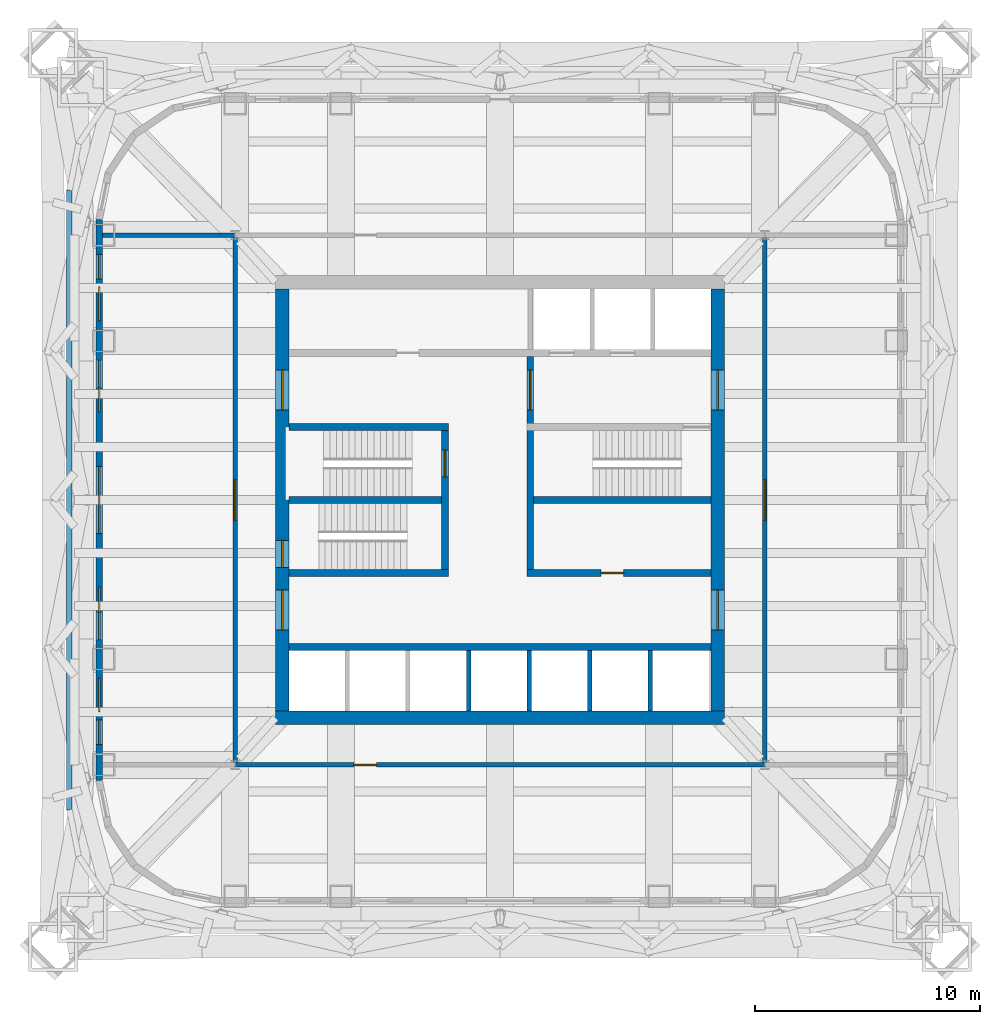
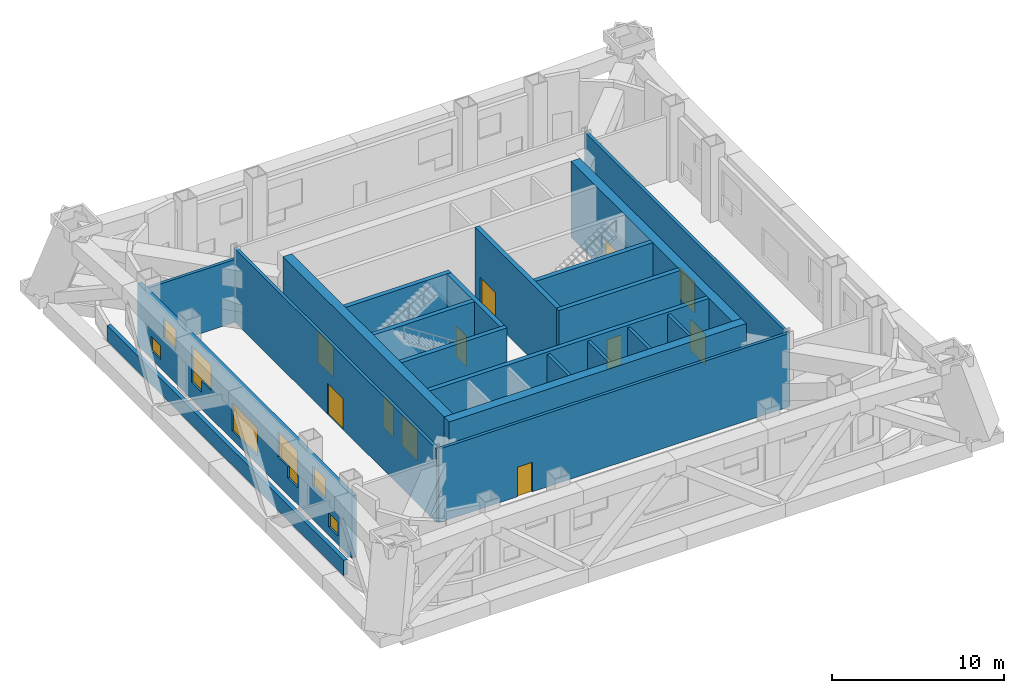
# One storey, part 5 of 9: 21 walls, 11 doors, 9 windows, 20 openings.
"""IFC4 building model written with IfcOpenShell, lengths in metres."""

from ifc_helpers import new_model, si_unit, direction, frame, frame_2d, origin, place, context, subcontext, project, spatial, rectangle, extrude, material, layer, layer_set, type_object, element, fill, save


model = new_model("IFC4")

# Units and contexts
model_context = context("Model", 3, precision=1e-05, world=origin(), true_north=direction((0.0, 1.0)))
body_context = subcontext(model_context, "Body", "Model", "MODEL_VIEW")
ifc_project = project(units=[si_unit("LENGTHUNIT", "METRE"), si_unit("AREAUNIT", "SQUARE_METRE"), si_unit("VOLUMEUNIT", "CUBIC_METRE"), si_unit("PLANEANGLEUNIT", "RADIAN"), si_unit("MASSUNIT", "GRAM", prefix="KILO")], contexts=[model_context])

# Site, building, storey
site_placement = place(None, origin())
site = spatial("IfcSite", under=ifc_project, at=site_placement, CompositionType="ELEMENT")
building_placement = place(site_placement, origin())
building = spatial("IfcBuilding", under=site, at=building_placement, Name="Turquesa Mirador Hotel Tower", CompositionType="ELEMENT")
storey_placement = place(building_placement, frame((0.0, 0.0, 221.300048828125)))
storey = spatial("IfcBuildingStorey", under=building, at=storey_placement, Name="L60", CompositionType="ELEMENT", Elevation=221.300048828125)

# Walls
ifc_material_1 = material(Name="Concrete C50/60", Category="concrete")
ifc_layer_1 = layer(ifc_material_1, 0.300048828125)
ifc_layer_set_1 = layer_set([ifc_layer_1], Name="CORE INNER WALL 300")
wall_type_1 = type_object("IfcWallType", Name="CORE INNER WALL 300", PredefinedType="SHEAR", material=ifc_layer_set_1)
wall_1_placement = place(storey_placement, frame((45.60009765625, 38.449951171875, 0.0), z_axis=(0.0, 0.0, 1.0), x_axis=(1.0, 0.0, 0.0)))
element("IfcWall", 1, at=wall_1_placement, inside=storey, type_object=wall_type_1, Name="Core wall SL", PredefinedType="SHEAR", context=body_context, shape_type="SweptSolid", body=[
    extrude(rectangle(XDim=18.7998046875, YDim=0.300048828125, at=frame_2d((9.39990234375, 0.0))), origin(), (0.0, 0.0, 1.0), 5.39990234375),
])
for number, where, z_axis, x_axis, name in (
    (2, (45.60009765625, 48.25, 0.0), (0.0, 0.0, 1.0), (1.0, 0.0, 0.0), "Core wall MN-W"),
    (3, (45.60009765625, 41.75, 0.0), (0.0, 0.0, 1.0), (1.0, 0.0, 0.0), "Core wall MS-W"),
):
    element("IfcWall", number, at=place(storey_placement, frame(where, z_axis=z_axis, x_axis=x_axis)), inside=storey, type_object=wall_type_1, Name=name, PredefinedType="SHEAR", context=body_context, shape_type="SweptSolid", body=[
        extrude(rectangle(XDim=7.099853515625, YDim=0.300048828125, at=frame_2d((3.5498046875, 0.0))), origin(), (0.0, 0.0, 1.0), 5.39990234375),
    ])

# Wall, opening, door
wall_2_placement = place(storey_placement, frame((56.199951171875, 41.75, 0.0), z_axis=(0.0, 0.0, 1.0), x_axis=(1.0, 0.0, 0.0)))
wall_2 = element("IfcWall", 4, at=wall_2_placement, inside=storey, type_object=wall_type_1, Name="Core wall MS-E", PredefinedType="SHEAR", context=body_context, shape_type="SweptSolid", body=[
    extrude(rectangle(XDim=8.199951171875, YDim=0.300048828125, at=frame_2d((4.10009765625, 0.0))), origin(), (0.0, 0.0, 1.0), 5.39990234375),
])
opening_1_placement = place(wall_2_placement, frame((3.300048828125, 0.0, 0.0)))
opening_1 = element("IfcOpeningElement", 5, at=opening_1_placement, cuts=wall_2, Name="Opening D05", PredefinedType="OPENING", context=body_context, shape_type="SweptSolid", body=[
    extrude(rectangle(XDim=1.0, YDim=2.10009765625, at=frame_2d((0.5, 1.050048828125))), frame((0.0, 0.159912109375, 0.0), z_axis=(0.0, -1.0, 0.0), x_axis=(1.0, 0.0, 0.0)), (0.0, 0.0, 1.0), 0.320068359375),
])
ifc_material_2 = material(Name="Steel fire door", Category="steel")
door_type_1 = type_object("IfcDoorType", Name="DOOR 1000X2100 SERVICE", OperationType="SINGLE_SWING_LEFT", PredefinedType="DOOR", material=ifc_material_2)
door_1_placement = place(opening_1_placement, origin())
door_1 = element("IfcDoor", 6, at=door_1_placement, inside=storey, type_object=door_type_1, Name="Housekeeping room door", OperationType="SINGLE_SWING_LEFT", OverallHeight=2.10009765625, OverallWidth=1.0, PredefinedType="DOOR", context=body_context, shape_type="SweptSolid", body=[
    extrude(rectangle(XDim=1.0, YDim=2.10009765625, at=frame_2d((0.5, 1.050048828125))), frame((0.0, 0.02490234375, 0.0), z_axis=(0.0, -1.0, 0.0), x_axis=(1.0, 0.0, 0.0)), (0.0, 0.0, 1.0), 0.050048828125),
])
fill(opening_1, door_1)

wall_3_placement = place(storey_placement, frame((52.550048828125, 41.89990234375, 0.0), z_axis=(0.0, 0.0, 1.0), x_axis=(0.0, 1.0, 0.0)))
wall_3 = element("IfcWall", 7, at=wall_3_placement, inside=storey, type_object=wall_type_1, Name="Core wall PW", PredefinedType="SHEAR", context=body_context, shape_type="SweptSolid", body=[
    extrude(rectangle(XDim=6.2001953125, YDim=0.300048828125, at=frame_2d((3.10009765625, 0.0))), origin(), (0.0, 0.0, 1.0), 5.39990234375),
])
opening_2_placement = place(wall_3_placement, frame((4.125, 0.0, 0.0)))
opening_2 = element("IfcOpeningElement", 8, at=opening_2_placement, cuts=wall_3, Name="Opening D03", PredefinedType="OPENING", context=body_context, shape_type="SweptSolid", body=[
    extrude(rectangle(XDim=1.199951171875, YDim=2.199951171875, at=frame_2d((0.60009765625, 1.10009765625))), frame((0.0, 0.159912109375, 0.0), z_axis=(0.0, -1.0, 0.0), x_axis=(1.0, 0.0, 0.0)), (0.0, 0.0, 1.0), 0.320068359375),
])
ifc_material_3 = material(Name="Steel fire door", Category="steel")
door_type_2 = type_object("IfcDoorType", Name="DOOR 1200X2200 STAIR", OperationType="SINGLE_SWING_LEFT", PredefinedType="DOOR", material=ifc_material_3)
door_2_placement = place(opening_2_placement, origin())
door_2 = element("IfcDoor", 9, at=door_2_placement, inside=storey, type_object=door_type_2, Name="Stair ST1 door", OperationType="SINGLE_SWING_LEFT", OverallHeight=2.199951171875, OverallWidth=1.199951171875, PredefinedType="DOOR", context=body_context, shape_type="SweptSolid", body=[
    extrude(rectangle(XDim=1.199951171875, YDim=2.199951171875, at=frame_2d((0.60009765625, 1.10009765625))), frame((0.0, 0.02490234375, 0.0), z_axis=(0.0, -1.0, 0.0), x_axis=(1.0, 0.0, 0.0)), (0.0, 0.0, 1.0), 0.050048828125),
])
fill(opening_2, door_2)

wall_4_placement = place(storey_placement, frame((56.35009765625, 41.89990234375, 0.0), z_axis=(0.0, 0.0, 1.0), x_axis=(0.0, 1.0, 0.0)))
wall_4 = element("IfcWall", 10, at=wall_4_placement, inside=storey, type_object=wall_type_1, Name="Core wall PE", PredefinedType="SHEAR", context=body_context, shape_type="SweptSolid", body=[
    extrude(rectangle(XDim=9.5, YDim=0.300048828125, at=frame_2d((4.75, 0.0))), origin(), (0.0, 0.0, 1.0), 5.39990234375),
])
opening_3_placement = place(wall_4_placement, frame((7.10009765625, 0.0, 0.0)))
opening_3 = element("IfcOpeningElement", 11, at=opening_3_placement, cuts=wall_4, Name="Opening D04", PredefinedType="OPENING", context=body_context, shape_type="SweptSolid", body=[
    extrude(rectangle(XDim=1.800048828125, YDim=2.199951171875, at=frame_2d((0.89990234375, 1.10009765625))), frame((0.0, 0.159912109375, 0.0), z_axis=(0.0, -1.0, 0.0), x_axis=(1.0, 0.0, 0.0)), (0.0, 0.0, 1.0), 0.320068359375),
])
ifc_material_4 = material(Name="Steel fire door pair", Category="steel")
door_type_3 = type_object("IfcDoorType", Name="DOOR 1800X2200 PAIR", OperationType="DOUBLE_DOOR_SINGLE_SWING", PredefinedType="DOOR", material=ifc_material_4)
door_3_placement = place(opening_3_placement, origin())
door_3 = element("IfcDoor", 12, at=door_3_placement, inside=storey, type_object=door_type_3, Name="Firefighting lobby inner door", OperationType="DOUBLE_DOOR_SINGLE_SWING", OverallHeight=2.199951171875, OverallWidth=1.800048828125, PredefinedType="DOOR", context=body_context, shape_type="SweptSolid", body=[
    extrude(rectangle(XDim=1.800048828125, YDim=2.199951171875, at=frame_2d((0.89990234375, 1.10009765625))), frame((0.0, 0.02490234375, 0.0), z_axis=(0.0, -1.0, 0.0), x_axis=(1.0, 0.0, 0.0)), (0.0, 0.0, 1.0), 0.050048828125),
])
fill(opening_3, door_3)

# Walls
wall_5_placement = place(storey_placement, frame((45.60009765625, 45.0, 0.0), z_axis=(0.0, 0.0, 1.0), x_axis=(1.0, 0.0, 0.0)))
element("IfcWall", 13, at=wall_5_placement, inside=storey, type_object=wall_type_1, Name="Core wall M0-W", PredefinedType="SHEAR", context=body_context, shape_type="SweptSolid", body=[
    extrude(rectangle(XDim=6.7998046875, YDim=0.300048828125, at=frame_2d((3.39990234375, 0.0))), origin(), (0.0, 0.0, 1.0), 5.39990234375),
])
wall_6_placement = place(storey_placement, frame((56.5, 45.0, 0.0), z_axis=(0.0, 0.0, 1.0), x_axis=(1.0, 0.0, 0.0)))
element("IfcWall", 14, at=wall_6_placement, inside=storey, type_object=wall_type_1, Name="Core wall M0-E", PredefinedType="SHEAR", context=body_context, shape_type="SweptSolid", body=[
    extrude(rectangle(XDim=7.89990234375, YDim=0.300048828125, at=frame_2d((3.949951171875, 0.0))), origin(), (0.0, 0.0, 1.0), 5.39990234375),
])
ifc_material_5 = material(Name="Concrete C50/60", Category="concrete")
ifc_layer_2 = layer(ifc_material_5, 0.60009765625)
ifc_layer_set_2 = layer_set([ifc_layer_2], Name="CORE WALL 600")
wall_type_2 = type_object("IfcWallType", Name="CORE WALL 600", PredefinedType="SHEAR", material=ifc_layer_set_2)
wall_7_placement = place(storey_placement, frame((45.0, 35.300048828125, 0.0), z_axis=(0.0, 0.0, 1.0), x_axis=(1.0, 0.0, 0.0)))
element("IfcWall", 15, at=wall_7_placement, inside=storey, type_object=wall_type_2, Name="Core wall S", PredefinedType="SHEAR", context=body_context, shape_type="SweptSolid", body=[
    extrude(rectangle(XDim=20.0, YDim=0.60009765625, at=frame_2d((10.0, 0.0))), origin(), (0.0, 0.0, 1.0), 5.39990234375),
])

# Wall, openings, doors
wall_8_placement = place(storey_placement, frame((64.699951171875, 35.60009765625, 0.0), z_axis=(0.0, 0.0, 1.0), x_axis=(0.0, 1.0, 0.0)))
wall_8 = element("IfcWall", 16, at=wall_8_placement, inside=storey, type_object=wall_type_2, Name="Core wall E", PredefinedType="SHEAR", context=body_context, shape_type="SweptSolid", body=[
    extrude(rectangle(XDim=18.7998046875, YDim=0.60009765625, at=frame_2d((9.39990234375, 0.0))), origin(), (0.0, 0.0, 1.0), 5.39990234375),
])
opening_4_placement = place(wall_8_placement, frame((13.39990234375, 0.0, 0.0)))
opening_4 = element("IfcOpeningElement", 17, at=opening_4_placement, cuts=wall_8, Name="Opening D04", PredefinedType="OPENING", context=body_context, shape_type="SweptSolid", body=[
    extrude(rectangle(XDim=1.800048828125, YDim=2.199951171875, at=frame_2d((0.89990234375, 1.10009765625))), frame((0.0, 0.31005859375, 0.0), z_axis=(0.0, -1.0, 0.0), x_axis=(1.0, 0.0, 0.0)), (0.0, 0.0, 1.0), 0.6201171875),
])
opening_5_placement = place(wall_8_placement, frame((3.60009765625, 0.0, 0.0)))
opening_5 = element("IfcOpeningElement", 18, at=opening_5_placement, cuts=wall_8, Name="Opening D04", PredefinedType="OPENING", context=body_context, shape_type="SweptSolid", body=[
    extrude(rectangle(XDim=1.800048828125, YDim=2.199951171875, at=frame_2d((0.89990234375, 1.10009765625))), frame((0.0, 0.31005859375, 0.0), z_axis=(0.0, -1.0, 0.0), x_axis=(1.0, 0.0, 0.0)), (0.0, 0.0, 1.0), 0.6201171875),
])
door_4_placement = place(opening_4_placement, origin())
door_4 = element("IfcDoor", 19, at=door_4_placement, inside=storey, type_object=door_type_3, Name="Firefighting lobby door", OperationType="DOUBLE_DOOR_SINGLE_SWING", OverallHeight=2.199951171875, OverallWidth=1.800048828125, PredefinedType="DOOR", context=body_context, shape_type="SweptSolid", body=[
    extrude(rectangle(XDim=1.800048828125, YDim=2.199951171875, at=frame_2d((0.89990234375, 1.10009765625))), frame((0.0, 0.02490234375, 0.0), z_axis=(0.0, -1.0, 0.0), x_axis=(1.0, 0.0, 0.0)), (0.0, 0.0, 1.0), 0.050048828125),
])
fill(opening_4, door_4)
door_5_placement = place(opening_5_placement, origin())
door_5 = element("IfcDoor", 20, at=door_5_placement, inside=storey, type_object=door_type_3, Name="South lift lobby door", OperationType="DOUBLE_DOOR_SINGLE_SWING", OverallHeight=2.199951171875, OverallWidth=1.800048828125, PredefinedType="DOOR", context=body_context, shape_type="SweptSolid", body=[
    extrude(rectangle(XDim=1.800048828125, YDim=2.199951171875, at=frame_2d((0.89990234375, 1.10009765625))), frame((0.0, 0.02490234375, 0.0), z_axis=(0.0, -1.0, 0.0), x_axis=(1.0, 0.0, 0.0)), (0.0, 0.0, 1.0), 0.050048828125),
])
fill(opening_5, door_5)

wall_9_placement = place(storey_placement, frame((45.300048828125, 35.60009765625, 0.0), z_axis=(0.0, 0.0, 1.0), x_axis=(0.0, 1.0, 0.0)))
wall_9 = element("IfcWall", 21, at=wall_9_placement, inside=storey, type_object=wall_type_2, Name="Core wall W", PredefinedType="SHEAR", context=body_context, shape_type="SweptSolid", body=[
    extrude(rectangle(XDim=18.7998046875, YDim=0.60009765625, at=frame_2d((9.39990234375, 0.0))), origin(), (0.0, 0.0, 1.0), 5.39990234375),
])
opening_6_placement = place(wall_9_placement, frame((13.39990234375, 0.0, 0.0)))
opening_6 = element("IfcOpeningElement", 22, at=opening_6_placement, cuts=wall_9, Name="Opening D04", PredefinedType="OPENING", context=body_context, shape_type="SweptSolid", body=[
    extrude(rectangle(XDim=1.800048828125, YDim=2.199951171875, at=frame_2d((0.89990234375, 1.10009765625))), frame((0.0, 0.31005859375, 0.0), z_axis=(0.0, -1.0, 0.0), x_axis=(1.0, 0.0, 0.0)), (0.0, 0.0, 1.0), 0.6201171875),
])
opening_7_placement = place(wall_9_placement, frame((3.60009765625, 0.0, 0.0)))
opening_7 = element("IfcOpeningElement", 23, at=opening_7_placement, cuts=wall_9, Name="Opening D04", PredefinedType="OPENING", context=body_context, shape_type="SweptSolid", body=[
    extrude(rectangle(XDim=1.800048828125, YDim=2.199951171875, at=frame_2d((0.89990234375, 1.10009765625))), frame((0.0, 0.31005859375, 0.0), z_axis=(0.0, -1.0, 0.0), x_axis=(1.0, 0.0, 0.0)), (0.0, 0.0, 1.0), 0.6201171875),
])
opening_8_placement = place(wall_9_placement, frame((6.39990234375, 0.0, 0.0)))
opening_8 = element("IfcOpeningElement", 24, at=opening_8_placement, cuts=wall_9, Name="Opening D03", PredefinedType="OPENING", context=body_context, shape_type="SweptSolid", body=[
    extrude(rectangle(XDim=1.199951171875, YDim=2.199951171875, at=frame_2d((0.60009765625, 1.10009765625))), frame((0.0, 0.31005859375, 0.0), z_axis=(0.0, -1.0, 0.0), x_axis=(1.0, 0.0, 0.0)), (0.0, 0.0, 1.0), 0.6201171875),
])
door_6_placement = place(opening_8_placement, origin())
door_6 = element("IfcDoor", 25, at=door_6_placement, inside=storey, type_object=door_type_2, Name="Stair ST2 door", OperationType="SINGLE_SWING_LEFT", OverallHeight=2.199951171875, OverallWidth=1.199951171875, PredefinedType="DOOR", context=body_context, shape_type="SweptSolid", body=[
    extrude(rectangle(XDim=1.199951171875, YDim=2.199951171875, at=frame_2d((0.60009765625, 1.10009765625))), frame((0.0, 0.02490234375, 0.0), z_axis=(0.0, -1.0, 0.0), x_axis=(1.0, 0.0, 0.0)), (0.0, 0.0, 1.0), 0.050048828125),
])
fill(opening_8, door_6)
door_7_placement = place(opening_6_placement, origin())
door_7 = element("IfcDoor", 26, at=door_7_placement, inside=storey, type_object=door_type_3, Name="North lift lobby door", OperationType="DOUBLE_DOOR_SINGLE_SWING", OverallHeight=2.199951171875, OverallWidth=1.800048828125, PredefinedType="DOOR", context=body_context, shape_type="SweptSolid", body=[
    extrude(rectangle(XDim=1.800048828125, YDim=2.199951171875, at=frame_2d((0.89990234375, 1.10009765625))), frame((0.0, 0.02490234375, 0.0), z_axis=(0.0, -1.0, 0.0), x_axis=(1.0, 0.0, 0.0)), (0.0, 0.0, 1.0), 0.050048828125),
])
fill(opening_6, door_7)
door_8_placement = place(opening_7_placement, origin())
door_8 = element("IfcDoor", 27, at=door_8_placement, inside=storey, type_object=door_type_3, Name="South lift lobby door", OperationType="DOUBLE_DOOR_SINGLE_SWING", OverallHeight=2.199951171875, OverallWidth=1.800048828125, PredefinedType="DOOR", context=body_context, shape_type="SweptSolid", body=[
    extrude(rectangle(XDim=1.800048828125, YDim=2.199951171875, at=frame_2d((0.89990234375, 1.10009765625))), frame((0.0, 0.02490234375, 0.0), z_axis=(0.0, -1.0, 0.0), x_axis=(1.0, 0.0, 0.0)), (0.0, 0.0, 1.0), 0.050048828125),
])
fill(opening_7, door_8)

# Wall, opening, door
ifc_material_6 = material(Name="Fire-rated gypsum board on steel studs", Category="steel")
ifc_layer_3 = layer(ifc_material_6, 0.199951171875)
ifc_layer_set_3 = layer_set([ifc_layer_3], Name="CORRIDOR WALL 200")
wall_type_3 = type_object("IfcWallType", Name="CORRIDOR WALL 200", PredefinedType="PARTITIONING", material=ifc_layer_set_3)
wall_10_placement = place(storey_placement, frame((43.199951171875, 33.199951171875, 0.0), z_axis=(0.0, 0.0, 1.0), x_axis=(1.0, 0.0, 0.0)))
wall_10 = element("IfcWall", 28, at=wall_10_placement, inside=storey, type_object=wall_type_3, Name="Partition L60 001", PredefinedType="PARTITIONING", context=body_context, shape_type="SweptSolid", body=[
    extrude(rectangle(XDim=23.60009765625, YDim=0.199951171875, at=frame_2d((11.800048828125, 0.0))), origin(), (0.0, 0.0, 1.0), 5.22998046875),
])
opening_9_placement = place(wall_10_placement, frame((5.300048828125, 0.0, 0.0)))
opening_9 = element("IfcOpeningElement", 29, at=opening_9_placement, cuts=wall_10, Name="Opening D05", PredefinedType="OPENING", context=body_context, shape_type="SweptSolid", body=[
    extrude(rectangle(XDim=1.0, YDim=2.10009765625, at=frame_2d((0.5, 1.050048828125))), frame((0.0, 0.10986328125, 0.0), z_axis=(0.0, -1.0, 0.0), x_axis=(1.0, 0.0, 0.0)), (0.0, 0.0, 1.0), 0.219970703125),
])
door_9_placement = place(opening_9_placement, origin())
door_9 = element("IfcDoor", 30, at=door_9_placement, inside=storey, type_object=door_type_1, Name="Door L60-02", OperationType="SINGLE_SWING_LEFT", OverallHeight=2.10009765625, OverallWidth=1.0, PredefinedType="DOOR", context=body_context, shape_type="SweptSolid", body=[
    extrude(rectangle(XDim=1.0, YDim=2.10009765625, at=frame_2d((0.5, 1.050048828125))), frame((0.0, 0.02490234375, 0.0), z_axis=(0.0, -1.0, 0.0), x_axis=(1.0, 0.0, 0.0)), (0.0, 0.0, 1.0), 0.050048828125),
])
fill(opening_9, door_9)

wall_11_placement = place(storey_placement, frame((43.199951171875, 33.199951171875, 0.0), z_axis=(0.0, 0.0, 1.0), x_axis=(0.0, 1.0, 0.0)))
wall_11 = element("IfcWall", 31, at=wall_11_placement, inside=storey, type_object=wall_type_3, Name="Partition L60 007", PredefinedType="PARTITIONING", context=body_context, shape_type="SweptSolid", body=[
    extrude(rectangle(XDim=23.60009765625, YDim=0.199951171875, at=frame_2d((11.800048828125, 0.0))), origin(), (0.0, 0.0, 1.0), 5.22998046875),
])
opening_10_placement = place(wall_11_placement, frame((10.89990234375, 0.0, 0.0)))
opening_10 = element("IfcOpeningElement", 32, at=opening_10_placement, cuts=wall_11, Name="Opening D04", PredefinedType="OPENING", context=body_context, shape_type="SweptSolid", body=[
    extrude(rectangle(XDim=1.800048828125, YDim=2.199951171875, at=frame_2d((0.89990234375, 1.10009765625))), frame((0.0, 0.10986328125, 0.0), z_axis=(0.0, -1.0, 0.0), x_axis=(1.0, 0.0, 0.0)), (0.0, 0.0, 1.0), 0.219970703125),
])
door_10_placement = place(opening_10_placement, origin())
door_10 = element("IfcDoor", 33, at=door_10_placement, inside=storey, type_object=door_type_3, Name="Door L60-04", OperationType="DOUBLE_DOOR_SINGLE_SWING", OverallHeight=2.199951171875, OverallWidth=1.800048828125, PredefinedType="DOOR", context=body_context, shape_type="SweptSolid", body=[
    extrude(rectangle(XDim=1.800048828125, YDim=2.199951171875, at=frame_2d((0.89990234375, 1.10009765625))), frame((0.0, 0.02490234375, 0.0), z_axis=(0.0, -1.0, 0.0), x_axis=(1.0, 0.0, 0.0)), (0.0, 0.0, 1.0), 0.050048828125),
])
fill(opening_10, door_10)

wall_12_placement = place(storey_placement, frame((66.800048828125, 33.199951171875, 0.0), z_axis=(0.0, 0.0, 1.0), x_axis=(0.0, 1.0, 0.0)))
wall_12 = element("IfcWall", 34, at=wall_12_placement, inside=storey, type_object=wall_type_3, Name="Partition L60 008", PredefinedType="PARTITIONING", context=body_context, shape_type="SweptSolid", body=[
    extrude(rectangle(XDim=23.60009765625, YDim=0.199951171875, at=frame_2d((11.800048828125, 0.0))), origin(), (0.0, 0.0, 1.0), 5.22998046875),
])
opening_11_placement = place(wall_12_placement, frame((10.89990234375, 0.0, 0.0)))
opening_11 = element("IfcOpeningElement", 35, at=opening_11_placement, cuts=wall_12, Name="Opening D04", PredefinedType="OPENING", context=body_context, shape_type="SweptSolid", body=[
    extrude(rectangle(XDim=1.800048828125, YDim=2.199951171875, at=frame_2d((0.89990234375, 1.10009765625))), frame((0.0, 0.10986328125, 0.0), z_axis=(0.0, -1.0, 0.0), x_axis=(1.0, 0.0, 0.0)), (0.0, 0.0, 1.0), 0.219970703125),
])
door_11_placement = place(opening_11_placement, origin())
door_11 = element("IfcDoor", 36, at=door_11_placement, inside=storey, type_object=door_type_3, Name="Door L60-03", OperationType="DOUBLE_DOOR_SINGLE_SWING", OverallHeight=2.199951171875, OverallWidth=1.800048828125, PredefinedType="DOOR", context=body_context, shape_type="SweptSolid", body=[
    extrude(rectangle(XDim=1.800048828125, YDim=2.199951171875, at=frame_2d((0.89990234375, 1.10009765625))), frame((0.0, 0.02490234375, 0.0), z_axis=(0.0, -1.0, 0.0), x_axis=(1.0, 0.0, 0.0)), (0.0, 0.0, 1.0), 0.050048828125),
])
fill(opening_11, door_11)

# Walls
ifc_material_7 = material(Name="Fire-rated gypsum board on steel studs", Category="steel")
ifc_layer_4 = layer(ifc_material_7, 0.199951171875)
ifc_layer_set_4 = layer_set([ifc_layer_4], Name="FIRE PARTITION 200")
wall_type_4 = type_object("IfcWallType", Name="FIRE PARTITION 200", PredefinedType="PARTITIONING", material=ifc_layer_set_4)
wall_13_placement = place(storey_placement, frame((37.300048828125, 56.800048828125, 0.0), z_axis=(0.0, 0.0, 1.0), x_axis=(1.0, 0.0, 0.0)))
element("IfcWall", 37, at=wall_13_placement, inside=storey, type_object=wall_type_4, Name="Partition L60 005", PredefinedType="PARTITIONING", context=body_context, shape_type="SweptSolid", body=[
    extrude(rectangle(XDim=5.89990234375, YDim=0.199951171875, at=frame_2d((2.949951171875, 0.0))), origin(), (0.0, 0.0, 1.0), 4.47314453125),
])
ifc_material_8 = material(Name="Fire-rated gypsum shaft wall on steel studs", Category="steel")
ifc_layer_5 = layer(ifc_material_8, 0.199951171875)
ifc_layer_set_5 = layer_set([ifc_layer_5], Name="LIFT SHAFT DIVIDER 200")
wall_type_5 = type_object("IfcWallType", Name="LIFT SHAFT DIVIDER 200", PredefinedType="PARTITIONING", material=ifc_layer_set_5)
for number, where, z_axis, x_axis, name in (
    (38, (53.60009765625, 35.60009765625, 0.0), (0.0, 0.0, 1.0), (0.0, 1.0, 0.0), "Lift shaft divider"),
    (39, (56.300048828125, 35.60009765625, 0.0), (0.0, 0.0, 1.0), (0.0, 1.0, 0.0), "Lift shaft divider"),
    (40, (59.0, 35.60009765625, 0.0), (0.0, 0.0, 1.0), (0.0, 1.0, 0.0), "Lift shaft divider"),
    (41, (61.699951171875, 35.60009765625, 0.0), (0.0, 0.0, 1.0), (0.0, 1.0, 0.0), "Lift shaft divider"),
):
    element("IfcWall", number, at=place(storey_placement, frame(where, z_axis=z_axis, x_axis=x_axis)), inside=storey, type_object=wall_type_5, Name=name, PredefinedType="PARTITIONING", context=body_context, shape_type="SweptSolid", body=[
        extrude(rectangle(XDim=2.699951171875, YDim=0.199951171875, at=frame_2d((1.35009765625, 0.0))), origin(), (0.0, 0.0, 1.0), 5.22998046875),
    ])

# Wall, openings, windows
ifc_material_9 = material(Name="Limestone cladding on concrete block", Category="masonry")
ifc_layer_6 = layer(ifc_material_9, 0.300048828125)
ifc_layer_set_6 = layer_set([ifc_layer_6], Name="LOUVRE WALL 300 STONE")
wall_type_6 = type_object("IfcWallType", Name="LOUVRE WALL 300 STONE", PredefinedType="SOLIDWALL", material=ifc_layer_set_6)
wall_14_placement = place(storey_placement, frame((37.14990234375, 57.5, 0.0), z_axis=(0.0, 0.0, 1.0), x_axis=(0.0, -1.0, 0.0)))
wall_14 = element("IfcWall", 42, at=wall_14_placement, inside=storey, type_object=wall_type_6, Name="Facade wall L60 14", PredefinedType="SOLIDWALL", context=body_context, shape_type="SweptSolid", body=[
    extrude(rectangle(XDim=25.0, YDim=0.300048828125, at=frame_2d((12.5, 0.0))), origin(), (0.0, 0.0, 1.0), 4.429931640625),
])
opening_12_placement = place(wall_14_placement, frame((3.010009765625, 0.0, 2.39990234375)))
opening_12 = element("IfcOpeningElement", 43, at=opening_12_placement, cuts=wall_14, Name="Opening LV10", PredefinedType="OPENING", context=body_context, shape_type="SweptSolid", body=[
    extrude(rectangle(XDim=1.5, YDim=1.39990234375, at=frame_2d((0.75, 0.699951171875))), frame((0.0, 0.159912109375, 0.0), z_axis=(0.0, -1.0, 0.0), x_axis=(1.0, 0.0, 0.0)), (0.0, 0.0, 1.0), 0.320068359375),
])
opening_13_placement = place(wall_14_placement, frame((6.280029296875, 0.0, 2.0)))
opening_13 = element("IfcOpeningElement", 44, at=opening_13_placement, cuts=wall_14, Name="Opening LV14", PredefinedType="OPENING", context=body_context, shape_type="SweptSolid", body=[
    extrude(rectangle(XDim=2.300048828125, YDim=1.800048828125, at=frame_2d((1.14990234375, 0.89990234375))), frame((0.0, 0.159912109375, 0.0), z_axis=(0.0, -1.0, 0.0), x_axis=(1.0, 0.0, 0.0)), (0.0, 0.0, 1.0), 0.320068359375),
])
opening_14_placement = place(wall_14_placement, frame((11.0, 0.0, 0.60009765625)))
opening_14 = element("IfcOpeningElement", 45, at=opening_14_placement, cuts=wall_14, Name="Opening LV16", PredefinedType="OPENING", context=body_context, shape_type="SweptSolid", body=[
    extrude(rectangle(XDim=3.0, YDim=2.0, at=frame_2d((1.5, 1.0))), frame((0.0, 0.159912109375, 0.0), z_axis=(0.0, -1.0, 0.0), x_axis=(1.0, 0.0, 0.0)), (0.0, 0.0, 1.0), 0.320068359375),
])
opening_15_placement = place(wall_14_placement, frame((16.3701171875, 0.0, 2.0)))
opening_15 = element("IfcOpeningElement", 46, at=opening_15_placement, cuts=wall_14, Name="Opening LV14", PredefinedType="OPENING", context=body_context, shape_type="SweptSolid", body=[
    extrude(rectangle(XDim=2.300048828125, YDim=1.800048828125, at=frame_2d((1.14990234375, 0.89990234375))), frame((0.0, 0.159912109375, 0.0), z_axis=(0.0, -1.0, 0.0), x_axis=(1.0, 0.0, 0.0)), (0.0, 0.0, 1.0), 0.320068359375),
])
opening_16_placement = place(wall_14_placement, frame((20.43994140625, 0.0, 2.39990234375)))
opening_16 = element("IfcOpeningElement", 47, at=opening_16_placement, cuts=wall_14, Name="Opening LV10", PredefinedType="OPENING", context=body_context, shape_type="SweptSolid", body=[
    extrude(rectangle(XDim=1.5, YDim=1.39990234375, at=frame_2d((0.75, 0.699951171875))), frame((0.0, 0.159912109375, 0.0), z_axis=(0.0, -1.0, 0.0), x_axis=(1.0, 0.0, 0.0)), (0.0, 0.0, 1.0), 0.320068359375),
])
opening_17_placement = place(wall_14_placement, frame((1.56005859375, 0.0, 0.60009765625)))
opening_17 = element("IfcOpeningElement", 48, at=opening_17_placement, cuts=wall_14, Name="Opening LV5", PredefinedType="OPENING", context=body_context, shape_type="SweptSolid", body=[
    extrude(rectangle(XDim=1.10009765625, YDim=1.0, at=frame_2d((0.550048828125, 0.5))), frame((0.0, 0.159912109375, 0.0), z_axis=(0.0, -1.0, 0.0), x_axis=(1.0, 0.0, 0.0)), (0.0, 0.0, 1.0), 0.320068359375),
])
opening_18_placement = place(wall_14_placement, frame((6.280029296875, 0.0, 1.199951171875)))
opening_18 = element("IfcOpeningElement", 49, at=opening_18_placement, cuts=wall_14, Name="Opening LV6", PredefinedType="OPENING", context=body_context, shape_type="SweptSolid", body=[
    extrude(rectangle(XDim=1.199951171875, YDim=0.800048828125, at=frame_2d((0.60009765625, 0.39990234375))), frame((0.0, 0.159912109375, 0.0), z_axis=(0.0, -1.0, 0.0), x_axis=(1.0, 0.0, 0.0)), (0.0, 0.0, 1.0), 0.320068359375),
])
opening_19_placement = place(wall_14_placement, frame((17.52001953125, 0.0, 1.199951171875)))
opening_19 = element("IfcOpeningElement", 50, at=opening_19_placement, cuts=wall_14, Name="Opening LV6", PredefinedType="OPENING", context=body_context, shape_type="SweptSolid", body=[
    extrude(rectangle(XDim=1.199951171875, YDim=0.800048828125, at=frame_2d((0.60009765625, 0.39990234375))), frame((0.0, 0.159912109375, 0.0), z_axis=(0.0, -1.0, 0.0), x_axis=(1.0, 0.0, 0.0)), (0.0, 0.0, 1.0), 0.320068359375),
])
opening_20_placement = place(wall_14_placement, frame((22.2900390625, 0.0, 0.60009765625)))
opening_20 = element("IfcOpeningElement", 51, at=opening_20_placement, cuts=wall_14, Name="Opening LV5", PredefinedType="OPENING", context=body_context, shape_type="SweptSolid", body=[
    extrude(rectangle(XDim=1.10009765625, YDim=1.0, at=frame_2d((0.550048828125, 0.5))), frame((0.0, 0.159912109375, 0.0), z_axis=(0.0, -1.0, 0.0), x_axis=(1.0, 0.0, 0.0)), (0.0, 0.0, 1.0), 0.320068359375),
])
ifc_material_10 = material(Name="Aluminium extrusion", Category="aluminium")
window_type_1 = type_object("IfcWindowType", Name="PLANT LOUVRE 1100X1000", PartitioningType="SINGLE_PANEL", PredefinedType="USERDEFINED", material=ifc_material_10)
window_1_placement = place(opening_17_placement, origin())
window_1 = element("IfcWindow", 52, at=window_1_placement, inside=storey, type_object=window_type_1, Name="Window L60", ObjectType="LOUVRE", OverallHeight=1.0, OverallWidth=1.10009765625, PartitioningType="SINGLE_PANEL", PredefinedType="USERDEFINED", context=body_context, shape_type="SweptSolid", body=[
    extrude(rectangle(XDim=1.10009765625, YDim=1.0, at=frame_2d((0.550048828125, 0.5))), frame((0.0, 0.030029296875, 0.0), z_axis=(0.0, -1.0, 0.0), x_axis=(1.0, 0.0, 0.0)), (0.0, 0.0, 1.0), 0.06005859375),
])
fill(opening_17, window_1)
window_2_placement = place(opening_20_placement, origin())
window_2 = element("IfcWindow", 53, at=window_2_placement, inside=storey, type_object=window_type_1, Name="Window L60", ObjectType="LOUVRE", OverallHeight=1.0, OverallWidth=1.10009765625, PartitioningType="SINGLE_PANEL", PredefinedType="USERDEFINED", context=body_context, shape_type="SweptSolid", body=[
    extrude(rectangle(XDim=1.10009765625, YDim=1.0, at=frame_2d((0.550048828125, 0.5))), frame((0.0, 0.030029296875, 0.0), z_axis=(0.0, -1.0, 0.0), x_axis=(1.0, 0.0, 0.0)), (0.0, 0.0, 1.0), 0.06005859375),
])
fill(opening_20, window_2)
ifc_material_11 = material(Name="Aluminium extrusion", Category="aluminium")
window_type_2 = type_object("IfcWindowType", Name="PLANT LOUVRE 1200X800", PartitioningType="SINGLE_PANEL", PredefinedType="USERDEFINED", material=ifc_material_11)
window_3_placement = place(opening_18_placement, origin())
window_3 = element("IfcWindow", 54, at=window_3_placement, inside=storey, type_object=window_type_2, Name="Window L60", ObjectType="LOUVRE", OverallHeight=0.800048828125, OverallWidth=1.199951171875, PartitioningType="SINGLE_PANEL", PredefinedType="USERDEFINED", context=body_context, shape_type="SweptSolid", body=[
    extrude(rectangle(XDim=1.199951171875, YDim=0.800048828125, at=frame_2d((0.60009765625, 0.39990234375))), frame((0.0, 0.030029296875, 0.0), z_axis=(0.0, -1.0, 0.0), x_axis=(1.0, 0.0, 0.0)), (0.0, 0.0, 1.0), 0.06005859375),
])
fill(opening_18, window_3)
window_4_placement = place(opening_19_placement, origin())
window_4 = element("IfcWindow", 55, at=window_4_placement, inside=storey, type_object=window_type_2, Name="Window L60", ObjectType="LOUVRE", OverallHeight=0.800048828125, OverallWidth=1.199951171875, PartitioningType="SINGLE_PANEL", PredefinedType="USERDEFINED", context=body_context, shape_type="SweptSolid", body=[
    extrude(rectangle(XDim=1.199951171875, YDim=0.800048828125, at=frame_2d((0.60009765625, 0.39990234375))), frame((0.0, 0.030029296875, 0.0), z_axis=(0.0, -1.0, 0.0), x_axis=(1.0, 0.0, 0.0)), (0.0, 0.0, 1.0), 0.06005859375),
])
fill(opening_19, window_4)
ifc_material_12 = material(Name="Aluminium extrusion", Category="aluminium")
window_type_3 = type_object("IfcWindowType", Name="PLANT LOUVRE 1500X1400", PartitioningType="SINGLE_PANEL", PredefinedType="USERDEFINED", material=ifc_material_12)
window_5_placement = place(opening_12_placement, origin())
window_5 = element("IfcWindow", 56, at=window_5_placement, inside=storey, type_object=window_type_3, Name="Window L60", ObjectType="LOUVRE", OverallHeight=1.39990234375, OverallWidth=1.5, PartitioningType="SINGLE_PANEL", PredefinedType="USERDEFINED", context=body_context, shape_type="SweptSolid", body=[
    extrude(rectangle(XDim=1.5, YDim=1.39990234375, at=frame_2d((0.75, 0.699951171875))), frame((0.0, 0.030029296875, 0.0), z_axis=(0.0, -1.0, 0.0), x_axis=(1.0, 0.0, 0.0)), (0.0, 0.0, 1.0), 0.06005859375),
])
fill(opening_12, window_5)
window_6_placement = place(opening_16_placement, origin())
window_6 = element("IfcWindow", 57, at=window_6_placement, inside=storey, type_object=window_type_3, Name="Window L60", ObjectType="LOUVRE", OverallHeight=1.39990234375, OverallWidth=1.5, PartitioningType="SINGLE_PANEL", PredefinedType="USERDEFINED", context=body_context, shape_type="SweptSolid", body=[
    extrude(rectangle(XDim=1.5, YDim=1.39990234375, at=frame_2d((0.75, 0.699951171875))), frame((0.0, 0.030029296875, 0.0), z_axis=(0.0, -1.0, 0.0), x_axis=(1.0, 0.0, 0.0)), (0.0, 0.0, 1.0), 0.06005859375),
])
fill(opening_16, window_6)
ifc_material_13 = material(Name="Aluminium extrusion", Category="aluminium")
window_type_4 = type_object("IfcWindowType", Name="PLANT LOUVRE 2300X1800", PartitioningType="SINGLE_PANEL", PredefinedType="USERDEFINED", material=ifc_material_13)
window_7_placement = place(opening_13_placement, origin())
window_7 = element("IfcWindow", 58, at=window_7_placement, inside=storey, type_object=window_type_4, Name="Window L60", ObjectType="LOUVRE", OverallHeight=1.800048828125, OverallWidth=2.300048828125, PartitioningType="SINGLE_PANEL", PredefinedType="USERDEFINED", context=body_context, shape_type="SweptSolid", body=[
    extrude(rectangle(XDim=2.300048828125, YDim=1.800048828125, at=frame_2d((1.14990234375, 0.89990234375))), frame((0.0, 0.030029296875, 0.0), z_axis=(0.0, -1.0, 0.0), x_axis=(1.0, 0.0, 0.0)), (0.0, 0.0, 1.0), 0.06005859375),
])
fill(opening_13, window_7)
window_8_placement = place(opening_15_placement, origin())
window_8 = element("IfcWindow", 59, at=window_8_placement, inside=storey, type_object=window_type_4, Name="Window L60", ObjectType="LOUVRE", OverallHeight=1.800048828125, OverallWidth=2.300048828125, PartitioningType="SINGLE_PANEL", PredefinedType="USERDEFINED", context=body_context, shape_type="SweptSolid", body=[
    extrude(rectangle(XDim=2.300048828125, YDim=1.800048828125, at=frame_2d((1.14990234375, 0.89990234375))), frame((0.0, 0.030029296875, 0.0), z_axis=(0.0, -1.0, 0.0), x_axis=(1.0, 0.0, 0.0)), (0.0, 0.0, 1.0), 0.06005859375),
])
fill(opening_15, window_8)
ifc_material_14 = material(Name="Aluminium extrusion", Category="aluminium")
window_type_5 = type_object("IfcWindowType", Name="PLANT LOUVRE 3000X2000", PartitioningType="SINGLE_PANEL", PredefinedType="USERDEFINED", material=ifc_material_14)
window_9_placement = place(opening_14_placement, origin())
window_9 = element("IfcWindow", 60, at=window_9_placement, inside=storey, type_object=window_type_5, Name="Window L60", ObjectType="LOUVRE", OverallHeight=2.0, OverallWidth=3.0, PartitioningType="SINGLE_PANEL", PredefinedType="USERDEFINED", context=body_context, shape_type="SweptSolid", body=[
    extrude(rectangle(XDim=3.0, YDim=2.0, at=frame_2d((1.5, 1.0))), frame((0.0, 0.030029296875, 0.0), z_axis=(0.0, -1.0, 0.0), x_axis=(1.0, 0.0, 0.0)), (0.0, 0.0, 1.0), 0.06005859375),
])
fill(opening_14, window_9)

# Wall
ifc_material_15 = material(Name="Limestone cladding on concrete block", Category="masonry")
ifc_layer_7 = layer(ifc_material_15, 0.25)
ifc_layer_set_7 = layer_set([ifc_layer_7], Name="PARAPET 250 STONE")
wall_type_7 = type_object("IfcWallType", Name="PARAPET 250 STONE", PredefinedType="PARAPET", material=ifc_layer_set_7)
wall_15_placement = place(storey_placement, frame((35.824951171875, 58.800048828125, 0.0), z_axis=(0.0, 0.0, 1.0), x_axis=(0.0, -1.0, 0.0)))
element("IfcWall", 61, at=wall_15_placement, inside=storey, type_object=wall_type_7, Name="Maintenance roof parapet L60", PredefinedType="PARAPET", context=body_context, shape_type="SweptSolid", body=[
    extrude(rectangle(XDim=27.60009765625, YDim=0.25, at=frame_2d((13.800048828125, 0.0))), origin(), (0.0, 0.0, 1.0), 1.099853515625),
])

save(model, "model.ifc")
